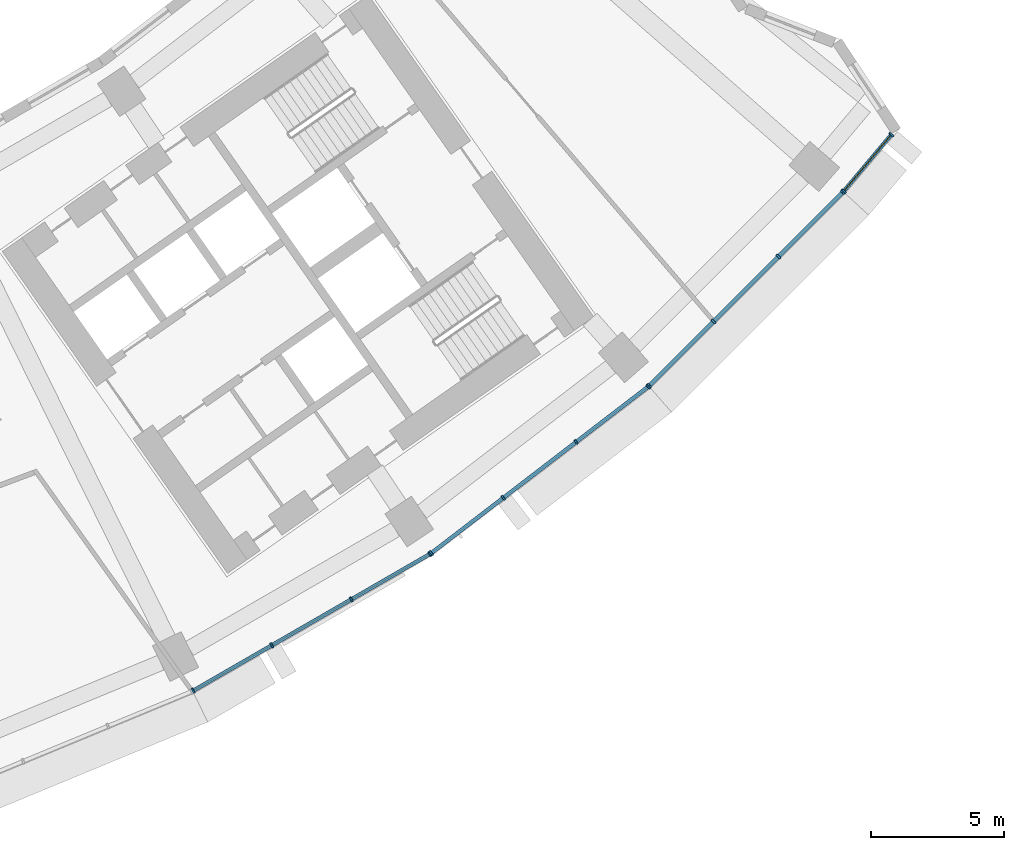
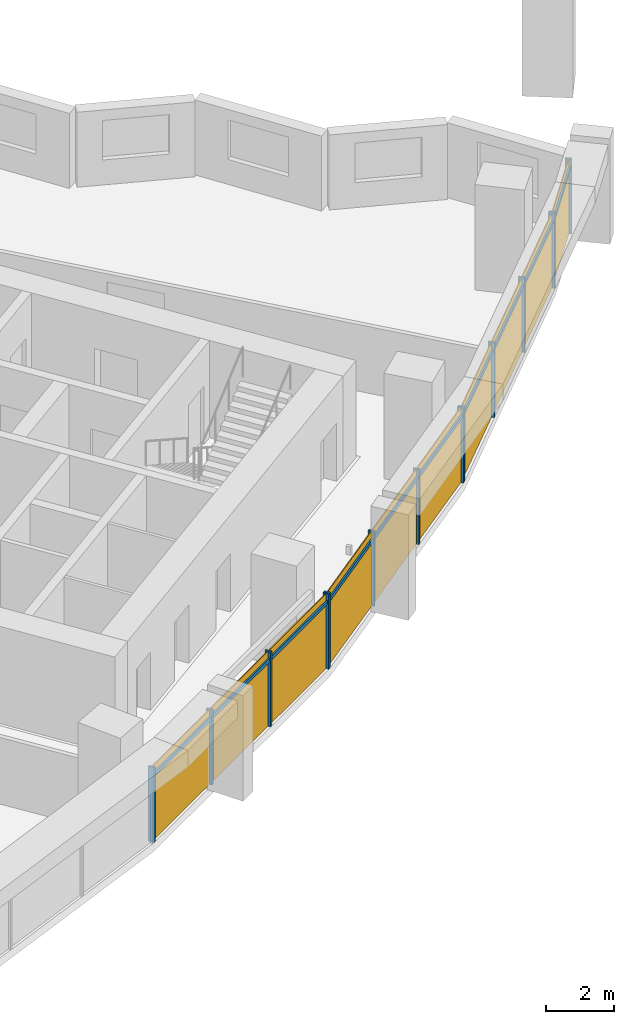
# One storey, part 23 of 29: 24 members, 4 curtain walls.
"""IFC4 building model written with IfcOpenShell, lengths in metres."""

from ifc_helpers import new_model, si_unit, direction, frame, origin, origin_2d, place, context, subcontext, project, spatial, rectangle, extrude, material, material_profile, profile_set, type_object, element, aggregate, save


model = new_model("IFC4")

# Units and contexts
model_context = context("Model", 3, precision=1e-05, world=origin(), true_north=direction((0.0, 1.0)))
body_context = subcontext(model_context, "Body", "Model", "MODEL_VIEW")
ifc_project = project(units=[si_unit("LENGTHUNIT", "METRE"), si_unit("AREAUNIT", "SQUARE_METRE"), si_unit("VOLUMEUNIT", "CUBIC_METRE"), si_unit("PLANEANGLEUNIT", "RADIAN"), si_unit("MASSUNIT", "GRAM", prefix="KILO")], contexts=[model_context])

# Member
ifc_material = material(Name="Aluminium 6063-T6 anodised", Category="aluminium")
ifc_material_profile_1 = material_profile(ifc_material, rectangle(XDim=0.199951171875, YDim=0.070068359375, at=origin_2d()))
ifc_profile_set_1 = profile_set([ifc_material_profile_1], Name="Aluminium 6063-T6 anodised")
member_type_1 = type_object("IfcMemberType", Name="Mullion 70 x 200 aluminium", PredefinedType="MULLION", material=ifc_profile_set_1)
site_placement = place(None, origin())
building_placement = place(site_placement, origin())
storey_placement = place(building_placement, frame((0.0, 0.0, 129.10009765625)))
member_1_placement = place(storey_placement, frame((35.0537109375, -71.017822265625, 0.0), z_axis=(0.0, 0.0, 1.0), x_axis=(-0.5, 0.866025403784, 0.0)))
member_1 = element("IfcMember", 1, at=member_1_placement, type_object=member_type_1, Name="e-cw1-L29-out13/M00", PredefinedType="MULLION", context=body_context, shape_type="SweptSolid", body=[
    extrude(rectangle(XDim=0.199951171875, YDim=0.070068359375, at=origin_2d()), origin(), (0.0, 0.0, 1.0), 2.699951171875),
])

member_2_placement = place(storey_placement, frame((38.017822265625, -69.306640625, 0.0), z_axis=(0.0, 0.0, 1.0), x_axis=(-0.5, 0.866025403784, 0.0)))
member_2 = element("IfcMember", 2, at=member_2_placement, type_object=member_type_1, Name="e-cw1-L29-out13/M01", PredefinedType="MULLION", context=body_context, shape_type="SweptSolid", body=[
    extrude(rectangle(XDim=0.199951171875, YDim=0.070068359375, at=origin_2d()), origin(), (0.0, 0.0, 1.0), 2.699951171875),
])

member_3_placement = place(storey_placement, frame((41.01220703125, -67.577880859375, 0.0), z_axis=(0.0, 0.0, 1.0), x_axis=(-0.5, 0.866025403784, 0.0)))
member_3 = element("IfcMember", 3, at=member_3_placement, type_object=member_type_1, Name="e-cw1-L29-out13/M02", PredefinedType="MULLION", context=body_context, shape_type="SweptSolid", body=[
    extrude(rectangle(XDim=0.199951171875, YDim=0.070068359375, at=origin_2d()), origin(), (0.0, 0.0, 1.0), 2.699951171875),
])

member_4_placement = place(storey_placement, frame((43.976318359375, -65.866455078125, 0.0), z_axis=(0.0, 0.0, 1.0), x_axis=(-0.5, 0.866025403784, 0.0)))
member_4 = element("IfcMember", 4, at=member_4_placement, type_object=member_type_1, Name="e-cw1-L29-out13/M03", PredefinedType="MULLION", context=body_context, shape_type="SweptSolid", body=[
    extrude(rectangle(XDim=0.199951171875, YDim=0.070068359375, at=origin_2d()), origin(), (0.0, 0.0, 1.0), 2.699951171875),
])

member_5_placement = place(storey_placement, frame((44.023681640625, -65.8349609375, 0.0), z_axis=(0.0, 0.0, 1.0), x_axis=(-0.608761429009, 0.793353340291, 0.0)))
member_5 = element("IfcMember", 5, at=member_5_placement, type_object=member_type_1, Name="e-cw1-L29-out14/M00", PredefinedType="MULLION", context=body_context, shape_type="SweptSolid", body=[
    extrude(rectangle(XDim=0.199951171875, YDim=0.070068359375, at=origin_2d()), origin(), (0.0, 0.0, 1.0), 2.699951171875),
])

member_6_placement = place(storey_placement, frame((46.739013671875, -63.751220703125, 0.0), z_axis=(0.0, 0.0, 1.0), x_axis=(-0.608761429009, 0.793353340291, 0.0)))
member_6 = element("IfcMember", 6, at=member_6_placement, type_object=member_type_1, Name="e-cw1-L29-out14/M01", PredefinedType="MULLION", context=body_context, shape_type="SweptSolid", body=[
    extrude(rectangle(XDim=0.199951171875, YDim=0.070068359375, at=origin_2d()), origin(), (0.0, 0.0, 1.0), 2.699951171875),
])

member_7_placement = place(storey_placement, frame((49.482177734375, -61.646484375, 0.0), z_axis=(0.0, 0.0, 1.0), x_axis=(-0.608761429009, 0.793353340291, 0.0)))
member_7 = element("IfcMember", 7, at=member_7_placement, type_object=member_type_1, Name="e-cw1-L29-out14/M02", PredefinedType="MULLION", context=body_context, shape_type="SweptSolid", body=[
    extrude(rectangle(XDim=0.199951171875, YDim=0.070068359375, at=origin_2d()), origin(), (0.0, 0.0, 1.0), 2.699951171875),
])

member_8_placement = place(storey_placement, frame((52.197509765625, -59.56298828125, 0.0), z_axis=(0.0, 0.0, 1.0), x_axis=(-0.608761429009, 0.793353340291, 0.0)))
member_8 = element("IfcMember", 8, at=member_8_placement, type_object=member_type_1, Name="e-cw1-L29-out14/M03", PredefinedType="MULLION", context=body_context, shape_type="SweptSolid", body=[
    extrude(rectangle(XDim=0.199951171875, YDim=0.070068359375, at=origin_2d()), origin(), (0.0, 0.0, 1.0), 2.699951171875),
])

member_9_placement = place(storey_placement, frame((52.240234375, -59.525390625, 0.0), z_axis=(0.0, 0.0, 1.0), x_axis=(-0.707106781187, 0.707106781187, 0.0)))
member_9 = element("IfcMember", 9, at=member_9_placement, type_object=member_type_1, Name="e-cw1-L29-out15/M00", PredefinedType="MULLION", context=body_context, shape_type="SweptSolid", body=[
    extrude(rectangle(XDim=0.199951171875, YDim=0.070068359375, at=origin_2d()), origin(), (0.0, 0.0, 1.0), 2.699951171875),
])

member_10_placement = place(storey_placement, frame((54.660400390625, -57.105224609375, 0.0), z_axis=(0.0, 0.0, 1.0), x_axis=(-0.707106781187, 0.707106781187, 0.0)))
member_10 = element("IfcMember", 10, at=member_10_placement, type_object=member_type_1, Name="e-cw1-L29-out15/M01", PredefinedType="MULLION", context=body_context, shape_type="SweptSolid", body=[
    extrude(rectangle(XDim=0.199951171875, YDim=0.070068359375, at=origin_2d()), origin(), (0.0, 0.0, 1.0), 2.699951171875),
])

member_11_placement = place(storey_placement, frame((57.105224609375, -54.660400390625, 0.0), z_axis=(0.0, 0.0, 1.0), x_axis=(-0.707106781187, 0.707106781187, 0.0)))
member_11 = element("IfcMember", 11, at=member_11_placement, type_object=member_type_1, Name="e-cw1-L29-out15/M02", PredefinedType="MULLION", context=body_context, shape_type="SweptSolid", body=[
    extrude(rectangle(XDim=0.199951171875, YDim=0.070068359375, at=origin_2d()), origin(), (0.0, 0.0, 1.0), 2.699951171875),
])

member_12_placement = place(storey_placement, frame((59.525390625, -52.240234375, 0.0), z_axis=(0.0, 0.0, 1.0), x_axis=(-0.707106781187, 0.707106781187, 0.0)))
member_12 = element("IfcMember", 12, at=member_12_placement, type_object=member_type_1, Name="e-cw1-L29-out15/M03", PredefinedType="MULLION", context=body_context, shape_type="SweptSolid", body=[
    extrude(rectangle(XDim=0.199951171875, YDim=0.070068359375, at=origin_2d()), origin(), (0.0, 0.0, 1.0), 2.699951171875),
])

member_13_placement = place(storey_placement, frame((59.56689453125, -52.195068359375, 0.0), z_axis=(0.0, 0.0, 1.0), x_axis=(-0.765132091272, 0.643873343839, 0.0)))
member_13 = element("IfcMember", 13, at=member_13_placement, type_object=member_type_1, Name="e-cw1-L29-out16/M00", PredefinedType="MULLION", context=body_context, shape_type="SweptSolid", body=[
    extrude(rectangle(XDim=0.199951171875, YDim=0.070068359375, at=origin_2d()), origin(), (0.0, 0.0, 1.0), 2.699951171875),
])

member_14_placement = place(storey_placement, frame((61.35693359375, -50.06787109375, 0.0), z_axis=(0.0, 0.0, 1.0), x_axis=(-0.765132091272, 0.643873343839, 0.0)))
member_14 = element("IfcMember", 14, at=member_14_placement, type_object=member_type_1, Name="e-cw1-L29-out16/M01", PredefinedType="MULLION", context=body_context, shape_type="SweptSolid", body=[
    extrude(rectangle(XDim=0.199951171875, YDim=0.070068359375, at=origin_2d()), origin(), (0.0, 0.0, 1.0), 2.699951171875),
])

ifc_material_profile_2 = material_profile(ifc_material, rectangle(XDim=0.139892578125, YDim=0.1201171875, at=origin_2d()))
ifc_profile_set_2 = profile_set([ifc_material_profile_2], Name="Aluminium 6063-T6 anodised")
member_type_2 = type_object("IfcMemberType", Name="Transom 120 x 140 aluminium", PredefinedType="USERDEFINED", material=ifc_profile_set_2)
member_15_placement = place(storey_placement, frame((35.084228515625, -71.00048828125, 2.39990234375), z_axis=(0.865989120267, 0.50006283963, 0.0), x_axis=(-0.50006283963, 0.865989120267, 0.0)))
member_15 = element("IfcMember", 15, at=member_15_placement, type_object=member_type_2, Name="e-cw1-L29-out13/T00", ObjectType="TRANSOM", PredefinedType="USERDEFINED", context=body_context, shape_type="SweptSolid", body=[
    extrude(rectangle(XDim=0.139892578125, YDim=0.1201171875, at=origin_2d()), origin(), (0.0, 0.0, 1.0), 3.3525390625),
])

member_16_placement = place(storey_placement, frame((38.048095703125, -69.2890625, 2.39990234375), z_axis=(0.866025971257, 0.499999017107, 0.0), x_axis=(-0.499999017107, 0.866025971257, 0.0)))
member_16 = element("IfcMember", 16, at=member_16_placement, type_object=member_type_2, Name="e-cw1-L29-out13/T01", ObjectType="TRANSOM", PredefinedType="USERDEFINED", context=body_context, shape_type="SweptSolid", body=[
    extrude(rectangle(XDim=0.139892578125, YDim=0.1201171875, at=origin_2d()), origin(), (0.0, 0.0, 1.0), 3.3876953125),
])

member_17_placement = place(storey_placement, frame((41.042724609375, -67.560302734375, 2.39990234375), z_axis=(0.866020654818, 0.50000822536, 0.0), x_axis=(-0.50000822536, 0.866020654818, 0.0)))
member_17 = element("IfcMember", 17, at=member_17_placement, type_object=member_type_2, Name="e-cw1-L29-out13/T02", ObjectType="TRANSOM", PredefinedType="USERDEFINED", context=body_context, shape_type="SweptSolid", body=[
    extrude(rectangle(XDim=0.139892578125, YDim=0.1201171875, at=origin_2d()), origin(), (0.0, 0.0, 1.0), 3.3525390625),
])

member_18_placement = place(storey_placement, frame((44.05126953125, -65.8134765625, 2.39990234375), z_axis=(0.793389477316, 0.608714331426, 0.0), x_axis=(-0.608714331426, 0.793389477316, 0.0)))
member_18 = element("IfcMember", 18, at=member_18_placement, type_object=member_type_2, Name="e-cw1-L29-out14/T00", ObjectType="TRANSOM", PredefinedType="USERDEFINED", context=body_context, shape_type="SweptSolid", body=[
    extrude(rectangle(XDim=0.139892578125, YDim=0.1201171875, at=origin_2d()), origin(), (0.0, 0.0, 1.0), 3.3525390625),
])

member_19_placement = place(storey_placement, frame((46.766845703125, -63.72998046875, 2.39990234375), z_axis=(0.793344133173, 0.608773427772, 0.0), x_axis=(-0.608773427772, 0.793344133173, 0.0)))
member_19 = element("IfcMember", 19, at=member_19_placement, type_object=member_type_2, Name="e-cw1-L29-out14/T01", ObjectType="TRANSOM", PredefinedType="USERDEFINED", context=body_context, shape_type="SweptSolid", body=[
    extrude(rectangle(XDim=0.139892578125, YDim=0.1201171875, at=origin_2d()), origin(), (0.0, 0.0, 1.0), 3.387451171875),
])

member_20_placement = place(storey_placement, frame((49.509765625, -61.625244140625, 2.39990234375), z_axis=(0.793354308621, 0.608760167055, 0.0), x_axis=(-0.608760167055, 0.793354308621, 0.0)))
member_20 = element("IfcMember", 20, at=member_20_placement, type_object=member_type_2, Name="e-cw1-L29-out14/T02", ObjectType="TRANSOM", PredefinedType="USERDEFINED", context=body_context, shape_type="SweptSolid", body=[
    extrude(rectangle(XDim=0.139892578125, YDim=0.1201171875, at=origin_2d()), origin(), (0.0, 0.0, 1.0), 3.352783203125),
])

member_21_placement = place(storey_placement, frame((52.264892578125, -59.500732421875, 2.39990234375), z_axis=(0.707106781187, 0.707106781187, 0.0), x_axis=(-0.707106781187, 0.707106781187, 0.0)))
member_21 = element("IfcMember", 21, at=member_21_placement, type_object=member_type_2, Name="e-cw1-L29-out15/T00", ObjectType="TRANSOM", PredefinedType="USERDEFINED", context=body_context, shape_type="SweptSolid", body=[
    extrude(rectangle(XDim=0.139892578125, YDim=0.1201171875, at=origin_2d()), origin(), (0.0, 0.0, 1.0), 3.3525390625),
])

member_22_placement = place(storey_placement, frame((54.68505859375, -57.08056640625, 2.39990234375), z_axis=(0.707106781187, 0.707106781187, 0.0), x_axis=(-0.707106781187, 0.707106781187, 0.0)))
member_22 = element("IfcMember", 22, at=member_22_placement, type_object=member_type_2, Name="e-cw1-L29-out15/T01", ObjectType="TRANSOM", PredefinedType="USERDEFINED", context=body_context, shape_type="SweptSolid", body=[
    extrude(rectangle(XDim=0.139892578125, YDim=0.1201171875, at=origin_2d()), origin(), (0.0, 0.0, 1.0), 3.3876953125),
])

member_23_placement = place(storey_placement, frame((57.130126953125, -54.635498046875, 2.39990234375), z_axis=(0.707106781187, 0.707106781187, 0.0), x_axis=(-0.707106781187, 0.707106781187, 0.0)))
member_23 = element("IfcMember", 23, at=member_23_placement, type_object=member_type_2, Name="e-cw1-L29-out15/T02", ObjectType="TRANSOM", PredefinedType="USERDEFINED", context=body_context, shape_type="SweptSolid", body=[
    extrude(rectangle(XDim=0.139892578125, YDim=0.1201171875, at=origin_2d()), origin(), (0.0, 0.0, 1.0), 3.3525390625),
])

member_24_placement = place(storey_placement, frame((59.58935546875, -52.168212890625, 2.39990234375), z_axis=(0.643872154584, 0.765133092051, 0.0), x_axis=(-0.765133092051, 0.643872154584, 0.0)))
member_24 = element("IfcMember", 24, at=member_24_placement, type_object=member_type_2, Name="e-cw1-L29-out16/T00", ObjectType="TRANSOM", PredefinedType="USERDEFINED", context=body_context, shape_type="SweptSolid", body=[
    extrude(rectangle(XDim=0.139892578125, YDim=0.1201171875, at=origin_2d()), origin(), (0.0, 0.0, 1.0), 2.7099609375),
])

# Site, building, storey
site = spatial("IfcSite", under=ifc_project, at=site_placement, CompositionType="ELEMENT")
building = spatial("IfcBuilding", under=site, at=building_placement, Name="Qamariyya Broadcast Tower", CompositionType="ELEMENT")
storey = spatial("IfcBuildingStorey", under=building, at=storey_placement, Name="L29", CompositionType="ELEMENT", Elevation=129.10009765625)

# Curtain wall
curtain_wall_type = type_object("IfcCurtainWallType", Name="Unitised curtain wall, anodised aluminium", PredefinedType="NOTDEFINED", material=ifc_material)
curtain_wall_1_placement = place(storey_placement, origin())
curtain_wall_1 = element("IfcCurtainWall", 25, at=curtain_wall_1_placement, inside=storey, type_object=curtain_wall_type, Name="e-cw1-L29-out13", PredefinedType="NOTDEFINED", context=body_context, shape_type="SweptSolid", body=[
    extrude(rectangle(XDim=3.352783203125, YDim=0.031982421875, at=origin_2d()), frame((36.535888671875, -70.162109375, 0.0), x_axis=(0.866027243369, 0.499996813733, 0.0)), (0.0, 0.0, 1.0), 2.340087890625),
    extrude(rectangle(XDim=3.352783203125, YDim=0.031982421875, at=origin_2d()), frame((36.535888671875, -70.162109375, 2.4599609375), x_axis=(0.866027243369, 0.499996813733, 0.0)), (0.0, 0.0, 1.0), 0.239990234375),
    extrude(rectangle(XDim=3.3876953125, YDim=0.031982421875, at=origin_2d()), frame((39.51513671875, -68.442138671875, 0.0), x_axis=(0.866027243369, 0.499996813733, 0.0)), (0.0, 0.0, 1.0), 2.340087890625),
    extrude(rectangle(XDim=3.3876953125, YDim=0.031982421875, at=origin_2d()), frame((39.51513671875, -68.442138671875, 2.4599609375), x_axis=(0.866027243369, 0.499996813733, 0.0)), (0.0, 0.0, 1.0), 0.239990234375),
    extrude(rectangle(XDim=3.352783203125, YDim=0.031982421875, at=origin_2d()), frame((42.494384765625, -66.72216796875, 0.0), x_axis=(0.866027243369, 0.499996813733, 0.0)), (0.0, 0.0, 1.0), 2.340087890625),
    extrude(rectangle(XDim=3.352783203125, YDim=0.031982421875, at=origin_2d()), frame((42.494384765625, -66.72216796875, 2.4599609375), x_axis=(0.866027243369, 0.499996813733, 0.0)), (0.0, 0.0, 1.0), 0.239990234375),
])

aggregate(curtain_wall_1, [member_1, member_2, member_3, member_4, member_15, member_16, member_17])

curtain_wall_2_placement = place(storey_placement, origin())
curtain_wall_2 = element("IfcCurtainWall", 26, at=curtain_wall_2_placement, inside=storey, type_object=curtain_wall_type, Name="e-cw1-L29-out14", PredefinedType="NOTDEFINED", context=body_context, shape_type="SweptSolid", body=[
    extrude(rectangle(XDim=3.352783203125, YDim=0.031982421875, at=origin_2d()), frame((45.38134765625, -64.793212890625, 0.0), x_axis=(0.793354000839, 0.608760568165, 0.0)), (0.0, 0.0, 1.0), 2.340087890625),
    extrude(rectangle(XDim=3.352783203125, YDim=0.031982421875, at=origin_2d()), frame((45.38134765625, -64.793212890625, 2.4599609375), x_axis=(0.793354000839, 0.608760568165, 0.0)), (0.0, 0.0, 1.0), 0.239990234375),
    extrude(rectangle(XDim=3.3876953125, YDim=0.031982421875, at=origin_2d()), frame((48.110595703125, -62.69873046875, 0.0), x_axis=(0.793354000839, 0.608760568165, 0.0)), (0.0, 0.0, 1.0), 2.340087890625),
    extrude(rectangle(XDim=3.3876953125, YDim=0.031982421875, at=origin_2d()), frame((48.110595703125, -62.69873046875, 2.4599609375), x_axis=(0.793354000839, 0.608760568165, 0.0)), (0.0, 0.0, 1.0), 0.239990234375),
    extrude(rectangle(XDim=3.352783203125, YDim=0.031982421875, at=origin_2d()), frame((50.83984375, -60.6044921875, 0.0), x_axis=(0.793354000839, 0.608760568165, 0.0)), (0.0, 0.0, 1.0), 2.340087890625),
    extrude(rectangle(XDim=3.352783203125, YDim=0.031982421875, at=origin_2d()), frame((50.83984375, -60.6044921875, 2.4599609375), x_axis=(0.793354000839, 0.608760568165, 0.0)), (0.0, 0.0, 1.0), 0.239990234375),
])

aggregate(curtain_wall_2, [member_5, member_6, member_7, member_8, member_18, member_19, member_20])

curtain_wall_3_placement = place(storey_placement, origin())
curtain_wall_3 = element("IfcCurtainWall", 27, at=curtain_wall_3_placement, inside=storey, type_object=curtain_wall_type, Name="e-cw1-L29-out15", PredefinedType="NOTDEFINED", context=body_context, shape_type="SweptSolid", body=[
    extrude(rectangle(XDim=3.352783203125, YDim=0.031982421875, at=origin_2d()), frame((53.4501953125, -58.3154296875, 0.0), x_axis=(0.707106781187, 0.707106781187, 0.0)), (0.0, 0.0, 1.0), 2.340087890625),
    extrude(rectangle(XDim=3.352783203125, YDim=0.031982421875, at=origin_2d()), frame((53.4501953125, -58.3154296875, 2.4599609375), x_axis=(0.707106781187, 0.707106781187, 0.0)), (0.0, 0.0, 1.0), 0.239990234375),
    extrude(rectangle(XDim=3.3876953125, YDim=0.031982421875, at=origin_2d()), frame((55.8828125, -55.8828125, 0.0), x_axis=(0.707106781187, 0.707106781187, 0.0)), (0.0, 0.0, 1.0), 2.340087890625),
    extrude(rectangle(XDim=3.3876953125, YDim=0.031982421875, at=origin_2d()), frame((55.8828125, -55.8828125, 2.4599609375), x_axis=(0.707106781187, 0.707106781187, 0.0)), (0.0, 0.0, 1.0), 0.239990234375),
    extrude(rectangle(XDim=3.352783203125, YDim=0.031982421875, at=origin_2d()), frame((58.3154296875, -53.4501953125, 0.0), x_axis=(0.707106781187, 0.707106781187, 0.0)), (0.0, 0.0, 1.0), 2.340087890625),
    extrude(rectangle(XDim=3.352783203125, YDim=0.031982421875, at=origin_2d()), frame((58.3154296875, -53.4501953125, 2.4599609375), x_axis=(0.707106781187, 0.707106781187, 0.0)), (0.0, 0.0, 1.0), 0.239990234375),
])

aggregate(curtain_wall_3, [member_9, member_10, member_11, member_12, member_21, member_22, member_23])

curtain_wall_4_placement = place(storey_placement, origin())
curtain_wall_4 = element("IfcCurtainWall", 28, at=curtain_wall_4_placement, inside=storey, type_object=curtain_wall_type, Name="e-cw1-L29-out16", PredefinedType="NOTDEFINED", context=body_context, shape_type="SweptSolid", body=[
    extrude(rectangle(XDim=2.7099609375, YDim=0.031982421875, at=origin_2d()), frame((60.4619140625, -51.13134765625, 0.0), x_axis=(0.643850802276, 0.765151059863, 0.0)), (0.0, 0.0, 1.0), 2.340087890625),
    extrude(rectangle(XDim=2.7099609375, YDim=0.031982421875, at=origin_2d()), frame((60.4619140625, -51.13134765625, 2.4599609375), x_axis=(0.643850802276, 0.765151059863, 0.0)), (0.0, 0.0, 1.0), 0.239990234375),
])

aggregate(curtain_wall_4, [member_13, member_14, member_24])

save(model, "model.ifc")
